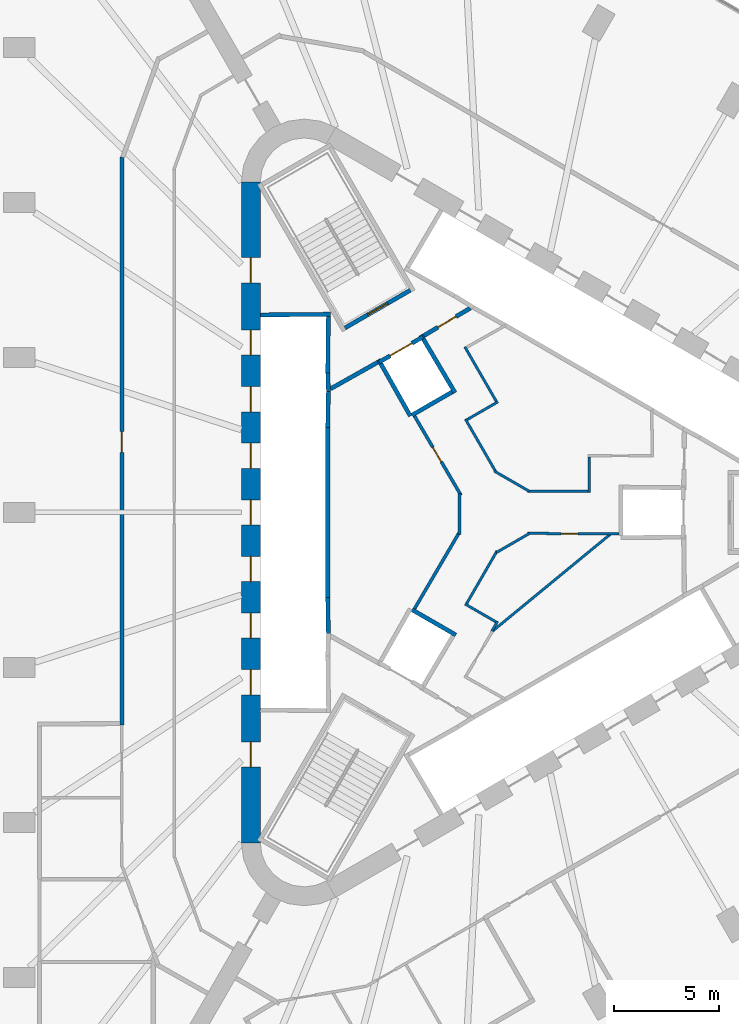
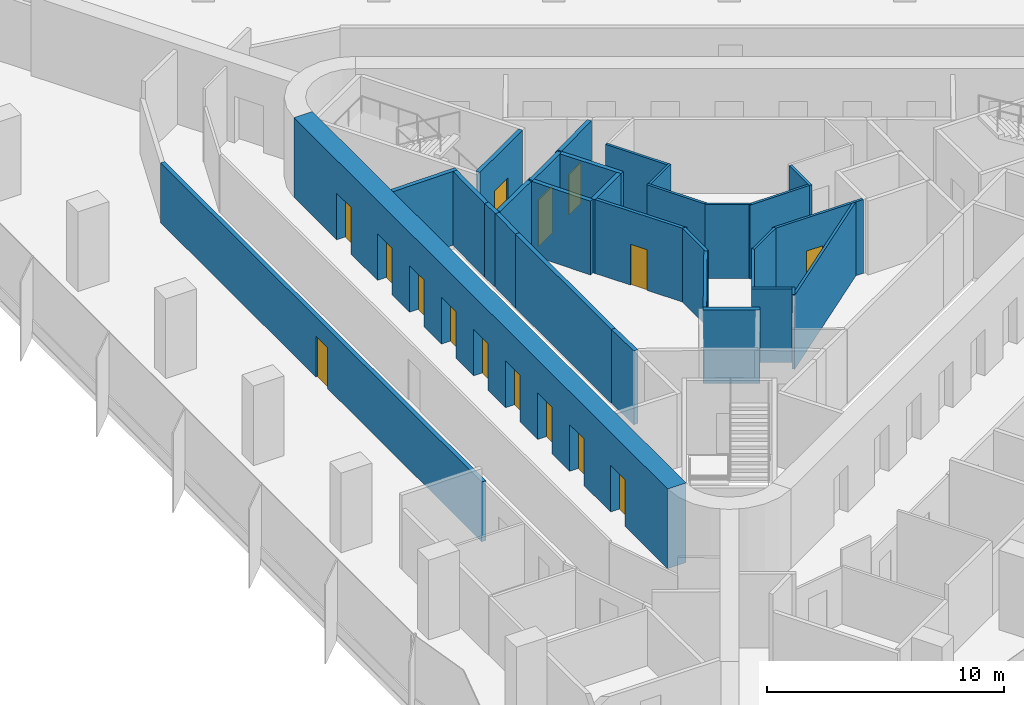
# One storey, part 11 of 15: 31 walls, 15 doors, 15 openings.
"""IFC4 building model written with IfcOpenShell, lengths in metres."""

import ifcopenshell
import ifcopenshell.guid

model = None  # the IFC model being written
_history = None  # IfcOwnerHistory: only IFC2X3 demands one
_inside = {}  # id of a spatial element -> (the spatial element, [elements in it])
_under = {}  # id of a project, library or spatial element -> (it, [spatial elements below it])
_declared = {}  # id of a project -> (the project, [libraries it declares])
_typed = {}  # id of a type object -> (the type object, [elements of that type])
_made_of = {}  # id of a material, layer set ... -> (it, [elements and type objects made of it])


def new_model(schema):
    """Start an empty IFC model of exactly this schema.

    Asked for "IFC4X3", IfcOpenShell would pick the latest addendum, in which some entities
    have other attributes; the version numbers below select the first issue.
    IFC2X3 requires an IfcOwnerHistory on every rooted entity: one is made here for all.
    """
    global model, _history
    if schema == "IFC4X3":
        model = ifcopenshell.file(schema_version=(4, 3, 0, 0))
    else:
        model = ifcopenshell.file(schema=schema)
    _inside.clear()
    _under.clear()
    _declared.clear()
    _typed.clear()
    _made_of.clear()
    _history = None
    if model.schema == "IFC2X3":
        org = make("IfcOrganization", Name="unknown")
        user = make(
            "IfcPersonAndOrganization",
            ThePerson=make("IfcPerson", FamilyName="unknown"),
            TheOrganization=org,
        )
        app = make(
            "IfcApplication",
            ApplicationDeveloper=org,
            Version="unknown",
            ApplicationFullName="unknown",
            ApplicationIdentifier="unknown",
        )
        _history = make(
            "IfcOwnerHistory",
            OwningUser=user,
            OwningApplication=app,
            ChangeAction="ADDED",
            CreationDate=0,
        )
    return model


def make(cls, **values):
    """One entity of the class cls with the attributes given. An attribute that is None is left unset."""
    return model.create_entity(
        cls, **{name: value for name, value in values.items() if value is not None}
    )


def rooted(cls, **values):
    """An entity with a GlobalId (a new one), such as an element, a storey or a relation."""
    return make(cls, GlobalId=ifcopenshell.guid.new(), OwnerHistory=_history, **values)


def si_unit(unit_type, name, prefix=None):
    """IfcSIUnit, for example si_unit("LENGTHUNIT", "METRE", prefix="MILLI")."""
    return make("IfcSIUnit", UnitType=unit_type, Prefix=prefix, Name=name)


def assignment(units):
    """IfcUnitAssignment: the units of a project."""
    return None if units is None else make("IfcUnitAssignment", Units=units)


def point(xyz):
    """IfcCartesianPoint."""
    return None if xyz is None else make("IfcCartesianPoint", Coordinates=xyz)


def direction(xyz):
    """IfcDirection."""
    return None if xyz is None else make("IfcDirection", DirectionRatios=xyz)


def frame(location, z_axis=None, x_axis=None):
    """IfcAxis2Placement3D, a coordinate frame: its origin and axes. An axis left out is left unset."""
    return make(
        "IfcAxis2Placement3D",
        Location=point(location),
        Axis=direction(z_axis),
        RefDirection=direction(x_axis),
    )


def frame_2d(location, x_axis=None):
    """IfcAxis2Placement2D, a coordinate frame in the plane: its origin and x axis."""
    return make(
        "IfcAxis2Placement2D", Location=point(location), RefDirection=direction(x_axis)
    )


def origin():
    """The frame at (0, 0, 0) with its axes left unset."""
    return frame((0.0, 0.0, 0.0))


def place(relative_to, where):
    """IfcLocalPlacement: puts the frame where relative to a parent placement (None: the world)."""
    return make(
        "IfcLocalPlacement", PlacementRelTo=relative_to, RelativePlacement=where
    )


def context(
    kind, dimensions, precision=None, world=None, true_north=None, identifier=None
):
    """IfcGeometricRepresentationContext, for example the 3D "Model" context."""
    return make(
        "IfcGeometricRepresentationContext",
        ContextIdentifier=identifier,
        ContextType=kind,
        CoordinateSpaceDimension=dimensions,
        Precision=precision,
        WorldCoordinateSystem=world,
        TrueNorth=true_north,
    )


def subcontext(parent, identifier, kind, view, scale=None):
    """IfcGeometricRepresentationSubContext, for example "Body" below "Model"."""
    return make(
        "IfcGeometricRepresentationSubContext",
        ContextIdentifier=identifier,
        ContextType=kind,
        ParentContext=parent,
        TargetScale=scale,
        TargetView=view,
    )


def project(units=None, contexts=None):
    """IfcProject with its units and contexts."""
    return rooted(
        "IfcProject",
        Name="project",
        RepresentationContexts=contexts,
        UnitsInContext=assignment(units),
    )


def spatial(cls, under=None, at=None, **own):
    """A site, building, storey or space (cls), placed at a placement, below another one or the project."""
    s = rooted(cls, ObjectPlacement=at, **own)
    if under is not None:
        _under.setdefault(under.id(), (under, []))[1].append(s)
    return s


def profile(cls, at=None, kind="AREA", **sizes):
    """A parametric profile (cls). Its sizes go by their IFC names, for example OverallWidth=200.0."""
    return make(cls, ProfileType=kind, Position=at, **sizes)


def rectangle(**sizes):
    """IfcRectangleProfileDef."""
    return profile("IfcRectangleProfileDef", **sizes)


def extrude(swept, where, along, depth):
    """IfcExtrudedAreaSolid: the profile swept, set in the frame where, extruded along a direction by depth."""
    return make(
        "IfcExtrudedAreaSolid",
        SweptArea=swept,
        Position=where,
        ExtrudedDirection=direction(along),
        Depth=depth,
    )


def shape(context_of_items, identifier, shape_type, items):
    """IfcShapeRepresentation: the items that make up one representation, for example the "Body"."""
    return make(
        "IfcShapeRepresentation",
        ContextOfItems=context_of_items,
        RepresentationIdentifier=identifier,
        RepresentationType=shape_type,
        Items=items,
    )


def material(Name=None, Category=None):
    """IfcMaterial."""
    return make("IfcMaterial", Name=Name, Category=Category)


def layer(
    of_material, thickness, ventilated=None, Name=None, Category=None, Priority=None
):
    """IfcMaterialLayer: one layer of a wall or slab, of a material (None: an air gap)."""
    return make(
        "IfcMaterialLayer",
        Material=of_material,
        LayerThickness=thickness,
        IsVentilated=ventilated,
        Name=Name,
        Category=Category,
        Priority=Priority,
    )


def layer_set(layers, Name=None):
    """IfcMaterialLayerSet."""
    return make("IfcMaterialLayerSet", MaterialLayers=layers, LayerSetName=Name)


def made_of(thing, what):
    """Note that an element or type object is made of a material, layer set ...; save() writes the relation."""
    if what is not None:
        _made_of.setdefault(what.id(), (what, []))[1].append(thing)
    return thing


def type_object(cls, material=None, **own):
    """A type object (cls), such as IfcWallType, which elements share."""
    return made_of(rooted(cls, **own), material)


def element(
    cls,
    number,
    at=None,
    inside=None,
    cuts=None,
    type_object=None,
    material=None,
    context=None,
    identifier="Body",
    shape_type=None,
    held_by="IfcProductDefinitionShape",
    body=None,
    shapes=None,
    **own,
):
    """One element of the class cls, such as IfcWall. Its Tag is "e" and its number.

    at: its placement. inside: the storey or other place that contains it. cuts: it is an
    opening in that element (IfcRelVoidsElement). A single representation is given by context,
    identifier, shape_type and body (its items); several are given by shapes. held_by: the class
    of the entity that holds the representations. save() writes the other relations.
    """
    e = rooted(cls, Tag="e%d" % number, ObjectPlacement=at, **own)
    if body is not None:
        shapes = [shape(context, identifier, shape_type, body)]
    if shapes is not None:
        e.Representation = make(held_by, Representations=shapes)
    if inside is not None:
        _inside.setdefault(inside.id(), (inside, []))[1].append(e)
    if cuts is not None:
        rooted(
            "IfcRelVoidsElement", RelatingBuildingElement=cuts, RelatedOpeningElement=e
        )
    if type_object is not None:
        _typed.setdefault(type_object.id(), (type_object, []))[1].append(e)
    return made_of(e, material)


def fill(opening, filler):
    """IfcRelFillsElement: the door or window that sits in an opening."""
    return rooted(
        "IfcRelFillsElement",
        RelatingOpeningElement=opening,
        RelatedBuildingElement=filler,
    )


def aggregate(whole, parts):
    """IfcRelAggregates: a whole, such as a stair, and the parts it consists of."""
    return rooted("IfcRelAggregates", RelatingObject=whole, RelatedObjects=parts)


def save(model, path):
    """Write the relations noted so far, then the file.

    IfcRelAggregates (storeys below a building ...), IfcRelContainedInSpatialStructure (elements
    in a storey), IfcRelDefinesByType, IfcRelAssociatesMaterial and IfcRelDeclares: one each for
    every whole, place, type object, material and project.
    """
    for whole, parts in _under.values():
        aggregate(whole, parts)
    for where, things in _inside.values():
        rooted(
            "IfcRelContainedInSpatialStructure",
            RelatedElements=things,
            RelatingStructure=where,
        )
    for kind, things in _typed.values():
        rooted("IfcRelDefinesByType", RelatedObjects=things, RelatingType=kind)
    for what, things in _made_of.values():
        rooted("IfcRelAssociatesMaterial", RelatedObjects=things, RelatingMaterial=what)
    for by, libraries in _declared.values():
        rooted("IfcRelDeclares", RelatingContext=by, RelatedDefinitions=libraries)
    model.write(path)


model = new_model("IFC4")

# Units and contexts
model_context = context("Model", 3, precision=1e-05, world=origin(), true_north=direction((0.0, 1.0)))
body_context = subcontext(model_context, "Body", "Model", "MODEL_VIEW")
ifc_project = project(units=[si_unit("LENGTHUNIT", "METRE"), si_unit("AREAUNIT", "SQUARE_METRE"), si_unit("VOLUMEUNIT", "CUBIC_METRE"), si_unit("PLANEANGLEUNIT", "RADIAN"), si_unit("MASSUNIT", "GRAM", prefix="KILO")], contexts=[model_context])

# Site, building, storey
site_placement = place(None, origin())
site = spatial("IfcSite", under=ifc_project, at=site_placement, CompositionType="ELEMENT")
building_placement = place(site_placement, origin())
building = spatial("IfcBuilding", under=site, at=building_placement, Name="Tanit Gate Tower", CompositionType="ELEMENT")
storey_placement = place(building_placement, frame((0.0, 0.0, 139.800048828125)))
storey = spatial("IfcBuildingStorey", under=building, at=storey_placement, Name="L30", CompositionType="ELEMENT", Elevation=139.800048828125)

# Wall, openings, doors
ifc_material_1 = material(Name="Concrete C60/75", Category="concrete")
ifc_layer_1 = layer(ifc_material_1, 0.89990234375)
ifc_layer_set_1 = layer_set([ifc_layer_1], Name="CORE WALL 900 C60/75")
wall_type_1 = type_object("IfcWallType", Name="CORE WALL 900 C60/75", PredefinedType="SHEAR", material=ifc_layer_set_1)
wall_1_placement = place(storey_placement, frame((-11.64990234375, 15.76171875, 0.0), z_axis=(0.0, 0.0, 1.0), x_axis=(0.0, -1.0, 0.0)))
wall_1 = element("IfcWall", 1, at=wall_1_placement, inside=storey, type_object=wall_type_1, Name="CORE WALL", PredefinedType="SHEAR", context=body_context, shape_type="SweptSolid", body=[
    extrude(rectangle(XDim=31.5234375, YDim=0.89990234375, at=frame_2d((15.76171875, 0.0))), origin(), (0.0, 0.0, 1.0), 4.099853515625),
])
opening_1_placement = place(wall_1_placement, frame((7.061767578125, 0.0, 0.0)))
opening_1 = element("IfcOpeningElement", 2, at=opening_1_placement, cuts=wall_1, Name="Opening LDLL1-S07", PredefinedType="OPENING", context=body_context, shape_type="SweptSolid", body=[
    extrude(rectangle(XDim=1.199951171875, YDim=2.39990234375, at=frame_2d((0.60009765625, 1.199951171875))), frame((0.0, 0.4599609375, 0.0), z_axis=(0.0, -1.0, 0.0), x_axis=(1.0, 0.0, 0.0)), (0.0, 0.0, 1.0), 0.919921875),
])
opening_2_placement = place(wall_1_placement, frame((9.76171875, 0.0, 0.0)))
opening_2 = element("IfcOpeningElement", 3, at=opening_2_placement, cuts=wall_1, Name="Opening LDLL2-S07", PredefinedType="OPENING", context=body_context, shape_type="SweptSolid", body=[
    extrude(rectangle(XDim=1.199951171875, YDim=2.39990234375, at=frame_2d((0.60009765625, 1.199951171875))), frame((0.0, 0.4599609375, 0.0), z_axis=(0.0, -1.0, 0.0), x_axis=(1.0, 0.0, 0.0)), (0.0, 0.0, 1.0), 0.919921875),
])
opening_3_placement = place(wall_1_placement, frame((12.461669921875, 0.0, 0.0)))
opening_3 = element("IfcOpeningElement", 4, at=opening_3_placement, cuts=wall_1, Name="Opening LDLL3-S07", PredefinedType="OPENING", context=body_context, shape_type="SweptSolid", body=[
    extrude(rectangle(XDim=1.199951171875, YDim=2.39990234375, at=frame_2d((0.60009765625, 1.199951171875))), frame((0.0, 0.4599609375, 0.0), z_axis=(0.0, -1.0, 0.0), x_axis=(1.0, 0.0, 0.0)), (0.0, 0.0, 1.0), 0.919921875),
])
opening_4_placement = place(wall_1_placement, frame((15.16162109375, 0.0, 0.0)))
opening_4 = element("IfcOpeningElement", 5, at=opening_4_placement, cuts=wall_1, Name="Opening LDLL4-S07", PredefinedType="OPENING", context=body_context, shape_type="SweptSolid", body=[
    extrude(rectangle(XDim=1.199951171875, YDim=2.39990234375, at=frame_2d((0.60009765625, 1.199951171875))), frame((0.0, 0.4599609375, 0.0), z_axis=(0.0, -1.0, 0.0), x_axis=(1.0, 0.0, 0.0)), (0.0, 0.0, 1.0), 0.919921875),
])
opening_5_placement = place(wall_1_placement, frame((17.86181640625, 0.0, 0.0)))
opening_5 = element("IfcOpeningElement", 6, at=opening_5_placement, cuts=wall_1, Name="Opening LDLL5-S07", PredefinedType="OPENING", context=body_context, shape_type="SweptSolid", body=[
    extrude(rectangle(XDim=1.199951171875, YDim=2.39990234375, at=frame_2d((0.60009765625, 1.199951171875))), frame((0.0, 0.4599609375, 0.0), z_axis=(0.0, -1.0, 0.0), x_axis=(1.0, 0.0, 0.0)), (0.0, 0.0, 1.0), 0.919921875),
])
opening_6_placement = place(wall_1_placement, frame((20.561767578125, 0.0, 0.0)))
opening_6 = element("IfcOpeningElement", 7, at=opening_6_placement, cuts=wall_1, Name="Opening LDLL6-S07", PredefinedType="OPENING", context=body_context, shape_type="SweptSolid", body=[
    extrude(rectangle(XDim=1.199951171875, YDim=2.39990234375, at=frame_2d((0.60009765625, 1.199951171875))), frame((0.0, 0.4599609375, 0.0), z_axis=(0.0, -1.0, 0.0), x_axis=(1.0, 0.0, 0.0)), (0.0, 0.0, 1.0), 0.919921875),
])
opening_7_placement = place(wall_1_placement, frame((23.26171875, 0.0, 0.0)))
opening_7 = element("IfcOpeningElement", 8, at=opening_7_placement, cuts=wall_1, Name="Opening LDLL7-S07", PredefinedType="OPENING", context=body_context, shape_type="SweptSolid", body=[
    extrude(rectangle(XDim=1.199951171875, YDim=2.39990234375, at=frame_2d((0.60009765625, 1.199951171875))), frame((0.0, 0.4599609375, 0.0), z_axis=(0.0, -1.0, 0.0), x_axis=(1.0, 0.0, 0.0)), (0.0, 0.0, 1.0), 0.919921875),
])
opening_8_placement = place(wall_1_placement, frame((3.61181640625, 0.0, 0.0)))
opening_8 = element("IfcOpeningElement", 9, at=opening_8_placement, cuts=wall_1, Name="Opening F12-S07-FL2", PredefinedType="OPENING", context=body_context, shape_type="SweptSolid", body=[
    extrude(rectangle(XDim=1.199951171875, YDim=2.39990234375, at=frame_2d((0.60009765625, 1.199951171875))), frame((0.0, 0.4599609375, 0.0), z_axis=(0.0, -1.0, 0.0), x_axis=(1.0, 0.0, 0.0)), (0.0, 0.0, 1.0), 0.919921875),
])
opening_9_placement = place(wall_1_placement, frame((26.711669921875, 0.0, 0.0)))
opening_9 = element("IfcOpeningElement", 10, at=opening_9_placement, cuts=wall_1, Name="Opening F12-S07-S3", PredefinedType="OPENING", context=body_context, shape_type="SweptSolid", body=[
    extrude(rectangle(XDim=1.199951171875, YDim=2.39990234375, at=frame_2d((0.60009765625, 1.199951171875))), frame((0.0, 0.4599609375, 0.0), z_axis=(0.0, -1.0, 0.0), x_axis=(1.0, 0.0, 0.0)), (0.0, 0.0, 1.0), 0.919921875),
])
ifc_material_2 = material(Name="Fire-rated steel door leaf", Category="steel")
door_type_1 = type_object("IfcDoorType", Name="INT-DOOR-FIRE-LOBBY-1200", OperationType="NOTDEFINED", PredefinedType="USERDEFINED", material=ifc_material_2)
door_1_placement = place(opening_8_placement, origin())
door_1 = element("IfcDoor", 11, at=door_1_placement, inside=storey, type_object=door_type_1, Name="Door F12-S07-FL2", ObjectType="FIRE DOOR", OperationType="SINGLE_SWING_RIGHT", OverallHeight=2.39990234375, OverallWidth=1.199951171875, PredefinedType="USERDEFINED", context=body_context, shape_type="SweptSolid", body=[
    extrude(rectangle(XDim=1.199951171875, YDim=2.39990234375, at=frame_2d((0.60009765625, 1.199951171875))), frame((0.0, 0.02490234375, 0.0), z_axis=(0.0, -1.0, 0.0), x_axis=(1.0, 0.0, 0.0)), (0.0, 0.0, 1.0), 0.050048828125),
])
fill(opening_8, door_1)
door_2_placement = place(opening_9_placement, origin())
door_2 = element("IfcDoor", 12, at=door_2_placement, inside=storey, type_object=door_type_1, Name="Door F12-S07-S3", ObjectType="FIRE DOOR", OperationType="SINGLE_SWING_LEFT", OverallHeight=2.39990234375, OverallWidth=1.199951171875, PredefinedType="USERDEFINED", context=body_context, shape_type="SweptSolid", body=[
    extrude(rectangle(XDim=1.199951171875, YDim=2.39990234375, at=frame_2d((0.60009765625, 1.199951171875))), frame((0.0, 0.02490234375, 0.0), z_axis=(0.0, -1.0, 0.0), x_axis=(1.0, 0.0, 0.0)), (0.0, 0.0, 1.0), 0.050048828125),
])
fill(opening_9, door_2)
ifc_material_3 = material(Name="Stainless steel sliding door leaf", Category="steel")
door_type_2 = type_object("IfcDoorType", Name="INT-DOOR-LANDING-1200", OperationType="NOTDEFINED", PredefinedType="USERDEFINED", material=ifc_material_3)
door_3_placement = place(opening_1_placement, origin())
door_3 = element("IfcDoor", 13, at=door_3_placement, inside=storey, type_object=door_type_2, Name="Door LDLL1-S07", ObjectType="LANDING DOOR", OperationType="SLIDING_TO_LEFT", OverallHeight=2.39990234375, OverallWidth=1.199951171875, PredefinedType="USERDEFINED", context=body_context, shape_type="SweptSolid", body=[
    extrude(rectangle(XDim=1.199951171875, YDim=2.39990234375, at=frame_2d((0.60009765625, 1.199951171875))), frame((0.0, 0.02490234375, 0.0), z_axis=(0.0, -1.0, 0.0), x_axis=(1.0, 0.0, 0.0)), (0.0, 0.0, 1.0), 0.050048828125),
])
fill(opening_1, door_3)
door_4_placement = place(opening_2_placement, origin())
door_4 = element("IfcDoor", 14, at=door_4_placement, inside=storey, type_object=door_type_2, Name="Door LDLL2-S07", ObjectType="LANDING DOOR", OperationType="SLIDING_TO_LEFT", OverallHeight=2.39990234375, OverallWidth=1.199951171875, PredefinedType="USERDEFINED", context=body_context, shape_type="SweptSolid", body=[
    extrude(rectangle(XDim=1.199951171875, YDim=2.39990234375, at=frame_2d((0.60009765625, 1.199951171875))), frame((0.0, 0.02490234375, 0.0), z_axis=(0.0, -1.0, 0.0), x_axis=(1.0, 0.0, 0.0)), (0.0, 0.0, 1.0), 0.050048828125),
])
fill(opening_2, door_4)
door_5_placement = place(opening_3_placement, origin())
door_5 = element("IfcDoor", 15, at=door_5_placement, inside=storey, type_object=door_type_2, Name="Door LDLL3-S07", ObjectType="LANDING DOOR", OperationType="SLIDING_TO_LEFT", OverallHeight=2.39990234375, OverallWidth=1.199951171875, PredefinedType="USERDEFINED", context=body_context, shape_type="SweptSolid", body=[
    extrude(rectangle(XDim=1.199951171875, YDim=2.39990234375, at=frame_2d((0.60009765625, 1.199951171875))), frame((0.0, 0.02490234375, 0.0), z_axis=(0.0, -1.0, 0.0), x_axis=(1.0, 0.0, 0.0)), (0.0, 0.0, 1.0), 0.050048828125),
])
fill(opening_3, door_5)
door_6_placement = place(opening_4_placement, origin())
door_6 = element("IfcDoor", 16, at=door_6_placement, inside=storey, type_object=door_type_2, Name="Door LDLL4-S07", ObjectType="LANDING DOOR", OperationType="SLIDING_TO_LEFT", OverallHeight=2.39990234375, OverallWidth=1.199951171875, PredefinedType="USERDEFINED", context=body_context, shape_type="SweptSolid", body=[
    extrude(rectangle(XDim=1.199951171875, YDim=2.39990234375, at=frame_2d((0.60009765625, 1.199951171875))), frame((0.0, 0.02490234375, 0.0), z_axis=(0.0, -1.0, 0.0), x_axis=(1.0, 0.0, 0.0)), (0.0, 0.0, 1.0), 0.050048828125),
])
fill(opening_4, door_6)
door_7_placement = place(opening_5_placement, origin())
door_7 = element("IfcDoor", 17, at=door_7_placement, inside=storey, type_object=door_type_2, Name="Door LDLL5-S07", ObjectType="LANDING DOOR", OperationType="SLIDING_TO_LEFT", OverallHeight=2.39990234375, OverallWidth=1.199951171875, PredefinedType="USERDEFINED", context=body_context, shape_type="SweptSolid", body=[
    extrude(rectangle(XDim=1.199951171875, YDim=2.39990234375, at=frame_2d((0.60009765625, 1.199951171875))), frame((0.0, 0.02490234375, 0.0), z_axis=(0.0, -1.0, 0.0), x_axis=(1.0, 0.0, 0.0)), (0.0, 0.0, 1.0), 0.050048828125),
])
fill(opening_5, door_7)
door_8_placement = place(opening_6_placement, origin())
door_8 = element("IfcDoor", 18, at=door_8_placement, inside=storey, type_object=door_type_2, Name="Door LDLL6-S07", ObjectType="LANDING DOOR", OperationType="SLIDING_TO_LEFT", OverallHeight=2.39990234375, OverallWidth=1.199951171875, PredefinedType="USERDEFINED", context=body_context, shape_type="SweptSolid", body=[
    extrude(rectangle(XDim=1.199951171875, YDim=2.39990234375, at=frame_2d((0.60009765625, 1.199951171875))), frame((0.0, 0.02490234375, 0.0), z_axis=(0.0, -1.0, 0.0), x_axis=(1.0, 0.0, 0.0)), (0.0, 0.0, 1.0), 0.050048828125),
])
fill(opening_6, door_8)
door_9_placement = place(opening_7_placement, origin())
door_9 = element("IfcDoor", 19, at=door_9_placement, inside=storey, type_object=door_type_2, Name="Door LDLL7-S07", ObjectType="LANDING DOOR", OperationType="SLIDING_TO_LEFT", OverallHeight=2.39990234375, OverallWidth=1.199951171875, PredefinedType="USERDEFINED", context=body_context, shape_type="SweptSolid", body=[
    extrude(rectangle(XDim=1.199951171875, YDim=2.39990234375, at=frame_2d((0.60009765625, 1.199951171875))), frame((0.0, 0.02490234375, 0.0), z_axis=(0.0, -1.0, 0.0), x_axis=(1.0, 0.0, 0.0)), (0.0, 0.0, 1.0), 0.050048828125),
])
fill(opening_7, door_9)

# Wall
ifc_material_4 = material(Name="Fire-rated gypsum board partition")
ifc_layer_2 = layer(ifc_material_4, 0.199951171875)
ifc_layer_set_2 = layer_set([ifc_layer_2], Name="INT-WALL-COMPARTMENT")
wall_type_2 = type_object("IfcWallType", Name="INT-WALL-COMPARTMENT", PredefinedType="PARTITIONING", material=ifc_layer_set_2)
wall_2_placement = place(storey_placement, frame((-5.600341796875, 7.16015625, 0.0), z_axis=(0.0, 0.0, 1.0), x_axis=(-0.871340486379, -0.490678873396, 0.0)))
element("IfcWall", 20, at=wall_2_placement, inside=storey, type_object=wall_type_2, Name="Wall Compartment W061", PredefinedType="PARTITIONING", context=body_context, shape_type="SweptSolid", body=[
    extrude(rectangle(XDim=2.580810546875, YDim=0.199951171875, at=frame_2d((1.29052734375, 0.0))), origin(), (0.0, 0.0, 1.0), 3.800048828125),
])

# Wall, opening, door
wall_3_placement = place(storey_placement, frame((-1.179443359375, 9.74462890625, 0.0), z_axis=(0.0, 0.0, 1.0), x_axis=(-0.860598681535, -0.509283721849, 0.0)))
wall_3 = element("IfcWall", 21, at=wall_3_placement, inside=storey, type_object=wall_type_2, Name="Wall Compartment W062", PredefinedType="PARTITIONING", context=body_context, shape_type="SweptSolid", body=[
    extrude(rectangle(XDim=2.5810546875, YDim=0.199951171875, at=frame_2d((1.29052734375, 0.0))), origin(), (0.0, 0.0, 1.0), 3.800048828125),
])
opening_10_placement = place(wall_3_placement, frame((0.79052734375, 0.0, 0.0)))
opening_10 = element("IfcOpeningElement", 22, at=opening_10_placement, cuts=wall_3, Name="Opening F10-S07-05", PredefinedType="OPENING", context=body_context, shape_type="SweptSolid", body=[
    extrude(rectangle(XDim=1.0, YDim=2.10009765625, at=frame_2d((0.5, 1.050048828125))), frame((0.0, 0.10986328125, 0.0), z_axis=(0.0, -1.0, 0.0), x_axis=(1.0, 0.0, 0.0)), (0.0, 0.0, 1.0), 0.219970703125),
])
ifc_material_5 = material(Name="Fire-rated steel door leaf", Category="steel")
door_type_3 = type_object("IfcDoorType", Name="INT-DOOR-FIRE-1000", OperationType="NOTDEFINED", PredefinedType="USERDEFINED", material=ifc_material_5)
door_10_placement = place(opening_10_placement, origin())
door_10 = element("IfcDoor", 23, at=door_10_placement, inside=storey, type_object=door_type_3, Name="Door F10-S07-05", ObjectType="FIRE DOOR", OperationType="SINGLE_SWING_LEFT", OverallHeight=2.10009765625, OverallWidth=1.0, PredefinedType="USERDEFINED", context=body_context, shape_type="SweptSolid", body=[
    extrude(rectangle(XDim=1.0, YDim=2.10009765625, at=frame_2d((0.5, 1.050048828125))), frame((0.0, 0.02490234375, 0.0), z_axis=(0.0, -1.0, 0.0), x_axis=(1.0, 0.0, 0.0)), (0.0, 0.0, 1.0), 0.050048828125),
])
fill(opening_10, door_10)

wall_4_placement = place(storey_placement, frame((-17.800048828125, 16.946044921875, 0.0), z_axis=(0.0, 0.0, 1.0), x_axis=(0.0, -1.0, 0.0)))
wall_4 = element("IfcWall", 24, at=wall_4_placement, inside=storey, type_object=wall_type_2, Name="Wall Compartment W091", PredefinedType="PARTITIONING", context=body_context, shape_type="SweptSolid", body=[
    extrude(rectangle(XDim=27.075927734375, YDim=0.199951171875, at=frame_2d((13.5380859375, 0.0))), origin(), (0.0, 0.0, 1.0), 3.079833984375),
])
opening_11_placement = place(wall_4_placement, frame((13.087890625, 0.0, 0.0)))
opening_11 = element("IfcOpeningElement", 25, at=opening_11_placement, cuts=wall_4, Name="Opening F10-S07-23", PredefinedType="OPENING", context=body_context, shape_type="SweptSolid", body=[
    extrude(rectangle(XDim=1.0, YDim=2.10009765625, at=frame_2d((0.5, 1.050048828125))), frame((0.0, 0.10986328125, 0.0), z_axis=(0.0, -1.0, 0.0), x_axis=(1.0, 0.0, 0.0)), (0.0, 0.0, 1.0), 0.219970703125),
])
door_11_placement = place(opening_11_placement, origin())
door_11 = element("IfcDoor", 26, at=door_11_placement, inside=storey, type_object=door_type_3, Name="Door F10-S07-23", ObjectType="FIRE DOOR", OperationType="SINGLE_SWING_RIGHT", OverallHeight=2.10009765625, OverallWidth=1.0, PredefinedType="USERDEFINED", context=body_context, shape_type="SweptSolid", body=[
    extrude(rectangle(XDim=1.0, YDim=2.10009765625, at=frame_2d((0.5, 1.050048828125))), frame((0.0, 0.02490234375, 0.0), z_axis=(0.0, -1.0, 0.0), x_axis=(1.0, 0.0, 0.0)), (0.0, 0.0, 1.0), 0.050048828125),
])
fill(opening_11, door_11)

# Wall
ifc_material_6 = material(Name="Gypsum board partition")
ifc_layer_3 = layer(ifc_material_6, 0.1201171875)
ifc_layer_set_3 = layer_set([ifc_layer_3], Name="INT-WALL-PARTITION")
wall_type_3 = type_object("IfcWallType", Name="INT-WALL-PARTITION", PredefinedType="PARTITIONING", material=ifc_layer_set_3)
wall_5_placement = place(storey_placement, frame((5.5478515625, -1.0, 0.0), z_axis=(0.0, 0.0, 1.0), x_axis=(-0.772345431507, -0.635202750648, 0.0)))
element("IfcWall", 27, at=wall_5_placement, inside=storey, type_object=wall_type_3, Name="Wall Partition W068", PredefinedType="PARTITIONING", context=body_context, shape_type="SweptSolid", body=[
    extrude(rectangle(XDim=7.41455078125, YDim=0.1201171875, at=frame_2d((3.707275390625, 0.0))), origin(), (0.0, 0.0, 1.0), 3.800048828125),
])

# Wall, opening, door
wall_6_placement = place(storey_placement, frame((5.89990234375, -1.02880859375, 0.0), z_axis=(0.0, 0.0, 1.0), x_axis=(-0.999977012451, 0.006780454946, 0.0)))
wall_6 = element("IfcWall", 28, at=wall_6_placement, inside=storey, type_object=wall_type_3, Name="Wall Partition W071", PredefinedType="PARTITIONING", context=body_context, shape_type="SweptSolid", body=[
    extrude(rectangle(XDim=4.356689453125, YDim=0.1201171875, at=frame_2d((2.17822265625, 0.0))), origin(), (0.0, 0.0, 1.0), 3.800048828125),
])
opening_12_placement = place(wall_6_placement, frame((1.9541015625, 0.0, 0.0)))
opening_12 = element("IfcOpeningElement", 29, at=opening_12_placement, cuts=wall_6, Name="Opening R08-S07-12", PredefinedType="OPENING", context=body_context, shape_type="SweptSolid", body=[
    extrude(rectangle(XDim=0.800048828125, YDim=2.10009765625, at=frame_2d((0.39990234375, 1.050048828125))), frame((0.0, 0.070068359375, 0.0), z_axis=(0.0, -1.0, 0.0), x_axis=(1.0, 0.0, 0.0)), (0.0, 0.0, 1.0), 0.14013671875),
])
ifc_material_7 = material(Name="Timber door leaf", Category="wood")
door_type_4 = type_object("IfcDoorType", Name="INT-DOOR-RISER-800", OperationType="NOTDEFINED", PredefinedType="USERDEFINED", material=ifc_material_7)
door_12_placement = place(opening_12_placement, origin())
door_12 = element("IfcDoor", 30, at=door_12_placement, inside=storey, type_object=door_type_4, Name="Door R08-S07-12", ObjectType="FIRE DOOR", OperationType="SINGLE_SWING_LEFT", OverallHeight=2.10009765625, OverallWidth=0.800048828125, PredefinedType="USERDEFINED", context=body_context, shape_type="SweptSolid", body=[
    extrude(rectangle(XDim=0.800048828125, YDim=2.10009765625, at=frame_2d((0.39990234375, 1.050048828125))), frame((0.0, 0.02490234375, 0.0), z_axis=(0.0, -1.0, 0.0), x_axis=(1.0, 0.0, 0.0)), (0.0, 0.0, 1.0), 0.050048828125),
])
fill(opening_12, door_12)

# Walls
wall_7_placement = place(storey_placement, frame((-0.14404296875, -5.6494140625, 0.0), z_axis=(0.0, 0.0, 1.0), x_axis=(0.499843319224, 0.866115844577, 0.0)))
element("IfcWall", 31, at=wall_7_placement, inside=storey, type_object=wall_type_3, Name="Wall Partition W072", PredefinedType="PARTITIONING", context=body_context, shape_type="SweptSolid", body=[
    extrude(rectangle(XDim=0.524658203125, YDim=0.1201171875, at=frame_2d((0.26220703125, 0.0))), origin(), (0.0, 0.0, 1.0), 3.800048828125),
])
wall_8_placement = place(storey_placement, frame((-1.43603515625, -4.3671875, 0.0), z_axis=(0.0, 0.0, 1.0), x_axis=(0.866087547558, -0.499892348375, 0.0)))
element("IfcWall", 32, at=wall_8_placement, inside=storey, type_object=wall_type_3, Name="Wall Partition W073", PredefinedType="PARTITIONING", context=body_context, shape_type="SweptSolid", body=[
    extrude(rectangle(XDim=1.699951171875, YDim=0.1201171875, at=frame_2d((0.85009765625, 0.0))), origin(), (0.0, 0.0, 1.0), 3.800048828125),
])
wall_9_placement = place(storey_placement, frame((0.09521484375, -1.8349609375, 0.0), z_axis=(0.0, 0.0, 1.0), x_axis=(-0.499980071345, -0.866036909293, 0.0)))
element("IfcWall", 33, at=wall_9_placement, inside=storey, type_object=wall_type_3, Name="Wall Partition W074", PredefinedType="PARTITIONING", context=body_context, shape_type="SweptSolid", body=[
    extrude(rectangle(XDim=2.8984375, YDim=0.1201171875, at=frame_2d((1.44921875, 0.0))), origin(), (0.0, 0.0, 1.0), 3.800048828125),
])
wall_10_placement = place(storey_placement, frame((1.629150390625, -1.009521484375, 0.0), z_axis=(0.0, 0.0, 1.0), x_axis=(-0.866046528967, -0.499963408325, 0.0)))
element("IfcWall", 34, at=wall_10_placement, inside=storey, type_object=wall_type_3, Name="Wall Partition W075", PredefinedType="PARTITIONING", context=body_context, shape_type="SweptSolid", body=[
    extrude(rectangle(XDim=1.812744140625, YDim=0.1201171875, at=frame_2d((0.90625, 0.0))), origin(), (0.0, 0.0, 1.0), 3.800048828125),
])
wall_11_placement = place(storey_placement, frame((4.5, 0.93994140625, 0.0), z_axis=(0.0, 0.0, 1.0), x_axis=(0.0, 1.0, 0.0)))
element("IfcWall", 35, at=wall_11_placement, inside=storey, type_object=wall_type_3, Name="Wall Partition W079", PredefinedType="PARTITIONING", context=body_context, shape_type="SweptSolid", body=[
    extrude(rectangle(XDim=1.699951171875, YDim=0.1201171875, at=frame_2d((0.85009765625, 0.0))), origin(), (0.0, 0.0, 1.0), 3.800048828125),
])
wall_12_placement = place(storey_placement, frame((1.54150390625, 1.0, 0.0), z_axis=(0.0, 0.0, 1.0), x_axis=(1.0, 0.0, 0.0)))
element("IfcWall", 36, at=wall_12_placement, inside=storey, type_object=wall_type_3, Name="Wall Partition W080", PredefinedType="PARTITIONING", context=body_context, shape_type="SweptSolid", body=[
    extrude(rectangle(XDim=2.8984375, YDim=0.1201171875, at=frame_2d((1.44921875, 0.0))), origin(), (0.0, 0.0, 1.0), 3.800048828125),
])
wall_13_placement = place(storey_placement, frame((-0.046630859375, 1.97705078125, 0.0), z_axis=(0.0, 0.0, 1.0), x_axis=(0.865998615205, -0.500046396311, 0.0)))
element("IfcWall", 37, at=wall_13_placement, inside=storey, type_object=wall_type_3, Name="Wall Partition W081", PredefinedType="PARTITIONING", context=body_context, shape_type="SweptSolid", body=[
    extrude(rectangle(XDim=1.935302734375, YDim=0.1201171875, at=frame_2d((0.9677734375, 0.0))), origin(), (0.0, 0.0, 1.0), 3.800048828125),
])
wall_14_placement = place(storey_placement, frame((-1.4140625, 4.448974609375, 0.0), z_axis=(0.0, 0.0, 1.0), x_axis=(0.500028961621, -0.866008682139, 0.0)))
element("IfcWall", 38, at=wall_14_placement, inside=storey, type_object=wall_type_3, Name="Wall Partition W082", PredefinedType="PARTITIONING", context=body_context, shape_type="SweptSolid", body=[
    extrude(rectangle(XDim=2.895751953125, YDim=0.1201171875, at=frame_2d((1.44775390625, 0.0))), origin(), (0.0, 0.0, 1.0), 3.800048828125),
])
wall_15_placement = place(storey_placement, frame((0.14013671875, 5.277099609375, 0.0), z_axis=(0.0, 0.0, 1.0), x_axis=(-0.865989465428, -0.500062241894, 0.0)))
element("IfcWall", 39, at=wall_15_placement, inside=storey, type_object=wall_type_3, Name="Wall Partition W083", PredefinedType="PARTITIONING", context=body_context, shape_type="SweptSolid", body=[
    extrude(rectangle(XDim=1.699951171875, YDim=0.1201171875, at=frame_2d((0.85009765625, 0.0))), origin(), (0.0, 0.0, 1.0), 3.800048828125),
])
wall_16_placement = place(storey_placement, frame((-1.441650390625, 7.897216796875, 0.0), z_axis=(0.0, 0.0, 1.0), x_axis=(0.499990139034, -0.866031096941, 0.0)))
element("IfcWall", 40, at=wall_16_placement, inside=storey, type_object=wall_type_3, Name="Wall Partition W084", PredefinedType="PARTITIONING", context=body_context, shape_type="SweptSolid", body=[
    extrude(rectangle(XDim=3.0, YDim=0.1201171875, at=frame_2d((1.5, 0.0))), origin(), (0.0, 0.0, 1.0), 3.800048828125),
])

# Wall, opening, door
ifc_material_8 = material(Name="Fire-rated gypsum board partition")
ifc_layer_4 = layer(ifc_material_8, 0.14990234375)
ifc_layer_set_4 = layer_set([ifc_layer_4], Name="INT-WALL-RISER")
wall_type_4 = type_object("IfcWallType", Name="INT-WALL-RISER", PredefinedType="PLUMBINGWALL", material=ifc_layer_set_4)
wall_17_placement = place(storey_placement, frame((-1.6240234375, 0.814697265625, 0.0), z_axis=(0.0, 0.0, 1.0), x_axis=(-0.505868173579, 0.862610799237, 0.0)))
wall_17 = element("IfcWall", 41, at=wall_17_placement, inside=storey, type_object=wall_type_4, Name="Wall Riser W065", PredefinedType="PLUMBINGWALL", context=body_context, shape_type="SweptSolid", body=[
    extrude(rectangle(XDim=4.382568359375, YDim=0.14990234375, at=frame_2d((2.19140625, 0.0))), origin(), (0.0, 0.0, 1.0), 3.800048828125),
])
opening_13_placement = place(wall_17_placement, frame((1.855224609375, 0.0, 0.0)))
opening_13 = element("IfcOpeningElement", 42, at=opening_13_placement, cuts=wall_17, Name="Opening R08-S07-10", PredefinedType="OPENING", context=body_context, shape_type="SweptSolid", body=[
    extrude(rectangle(XDim=0.800048828125, YDim=2.10009765625, at=frame_2d((0.39990234375, 1.050048828125))), frame((0.0, 0.0849609375, 0.0), z_axis=(0.0, -1.0, 0.0), x_axis=(1.0, 0.0, 0.0)), (0.0, 0.0, 1.0), 0.169921875),
])
door_13_placement = place(opening_13_placement, origin())
door_13 = element("IfcDoor", 43, at=door_13_placement, inside=storey, type_object=door_type_4, Name="Door R08-S07-10", ObjectType="FIRE DOOR", OperationType="SINGLE_SWING_LEFT", OverallHeight=2.10009765625, OverallWidth=0.800048828125, PredefinedType="USERDEFINED", context=body_context, shape_type="SweptSolid", body=[
    extrude(rectangle(XDim=0.800048828125, YDim=2.10009765625, at=frame_2d((0.39990234375, 1.050048828125))), frame((0.0, 0.02490234375, 0.0), z_axis=(0.0, -1.0, 0.0), x_axis=(1.0, 0.0, 0.0)), (0.0, 0.0, 1.0), 0.050048828125),
])
fill(opening_13, door_13)

# Walls
wall_18_placement = place(storey_placement, frame((-1.688720703125, -1.052978515625, 0.0), z_axis=(0.0, 0.0, 1.0), x_axis=(0.0, 1.0, 0.0)))
element("IfcWall", 44, at=wall_18_placement, inside=storey, type_object=wall_type_4, Name="Wall Riser W066", PredefinedType="PLUMBINGWALL", context=body_context, shape_type="SweptSolid", body=[
    extrude(rectangle(XDim=1.954345703125, YDim=0.14990234375, at=frame_2d((0.97705078125, 0.0))), origin(), (0.0, 0.0, 1.0), 3.800048828125),
])
wall_19_placement = place(storey_placement, frame((-3.841064453125, -4.59521484375, 0.0), z_axis=(0.0, 0.0, 1.0), x_axis=(0.505857207696, 0.862617229959, 0.0)))
element("IfcWall", 45, at=wall_19_placement, inside=storey, type_object=wall_type_4, Name="Wall Riser W067", PredefinedType="PLUMBINGWALL", context=body_context, shape_type="SweptSolid", body=[
    extrude(rectangle(XDim=4.231201171875, YDim=0.14990234375, at=frame_2d((2.11572265625, 0.0))), origin(), (0.0, 0.0, 1.0), 3.800048828125),
])
ifc_material_9 = material(Name="Gypsum shaft wall system")
ifc_layer_5 = layer(ifc_material_9, 0.199951171875)
ifc_layer_set_5 = layer_set([ifc_layer_5], Name="INT-WALL-SHAFT")
wall_type_5 = type_object("IfcWallType", Name="INT-WALL-SHAFT", PredefinedType="PLUMBINGWALL", material=ifc_layer_set_5)
wall_20_placement = place(storey_placement, frame((-11.199951171875, 9.419921875, 0.0), z_axis=(0.0, 0.0, 1.0), x_axis=(0.999957167047, 0.009255488683, 0.0)))
element("IfcWall", 46, at=wall_20_placement, inside=storey, type_object=wall_type_5, Name="Wall Shaft W001", PredefinedType="PLUMBINGWALL", context=body_context, shape_type="SweptSolid", body=[
    extrude(rectangle(XDim=3.35009765625, YDim=0.199951171875, at=frame_2d((1.675048828125, 0.0))), origin(), (0.0, 0.0, 1.0), 3.800048828125),
])
wall_21_placement = place(storey_placement, frame((-7.951171875, 9.35009765625, 0.0), z_axis=(0.0, 0.0, 1.0), x_axis=(-0.011120469654, -0.999938165666, 0.0)))
element("IfcWall", 47, at=wall_21_placement, inside=storey, type_object=wall_type_5, Name="Wall Shaft W002", PredefinedType="PLUMBINGWALL", context=body_context, shape_type="SweptSolid", body=[
    extrude(rectangle(XDim=2.700439453125, YDim=0.199951171875, at=frame_2d((1.35009765625, 0.0))), origin(), (0.0, 0.0, 1.0), 3.800048828125),
])
wall_22_placement = place(storey_placement, frame((-7.97705078125, 6.650146484375, 0.0), z_axis=(0.0, 0.0, 1.0), x_axis=(0.030861509705, -0.999523670164, 0.0)))
element("IfcWall", 48, at=wall_22_placement, inside=storey, type_object=wall_type_5, Name="Wall Shaft W004", PredefinedType="PLUMBINGWALL", context=body_context, shape_type="SweptSolid", body=[
    extrude(rectangle(XDim=0.878173828125, YDim=0.199951171875, at=frame_2d((0.43896484375, 0.0))), origin(), (0.0, 0.0, 1.0), 3.800048828125),
])
wall_23_placement = place(storey_placement, frame((-7.948974609375, 5.894287109375, 0.0), z_axis=(0.0, 0.0, 1.0), x_axis=(-0.016809909365, -0.999858703491, 0.0)))
element("IfcWall", 49, at=wall_23_placement, inside=storey, type_object=wall_type_5, Name="Wall Shaft W005", PredefinedType="PLUMBINGWALL", context=body_context, shape_type="SweptSolid", body=[
    extrude(rectangle(XDim=1.844482421875, YDim=0.199951171875, at=frame_2d((0.92236328125, 0.0))), origin(), (0.0, 0.0, 1.0), 3.800048828125),
])
wall_24_placement = place(storey_placement, frame((-7.97998046875, 4.050048828125, 0.0), z_axis=(0.0, 0.0, 1.0), x_axis=(0.0, -1.0, 0.0)))
element("IfcWall", 50, at=wall_24_placement, inside=storey, type_object=wall_type_5, Name="Wall Shaft W006", PredefinedType="PLUMBINGWALL", context=body_context, shape_type="SweptSolid", body=[
    extrude(rectangle(XDim=8.10009765625, YDim=0.199951171875, at=frame_2d((4.050048828125, 0.0))), origin(), (0.0, 0.0, 1.0), 3.800048828125),
])
wall_25_placement = place(storey_placement, frame((-7.97998046875, -4.050048828125, 0.0), z_axis=(0.0, 0.0, 1.0), x_axis=(0.016809909365, -0.999858703491, 0.0)))
element("IfcWall", 51, at=wall_25_placement, inside=storey, type_object=wall_type_5, Name="Wall Shaft W010", PredefinedType="PLUMBINGWALL", context=body_context, shape_type="SweptSolid", body=[
    extrude(rectangle(XDim=1.844482421875, YDim=0.199951171875, at=frame_2d((0.92236328125, 0.0))), origin(), (0.0, 0.0, 1.0), 3.800048828125),
])

# Wall, opening, door
wall_26_placement = place(storey_placement, frame((-5.524169921875, 7.168212890625, 0.0), z_axis=(0.0, 0.0, 1.0), x_axis=(0.866024647952, 0.500001309137, 0.0)))
wall_26 = element("IfcWall", 52, at=wall_26_placement, inside=storey, type_object=wall_type_5, Name="Wall Shaft W045", PredefinedType="PLUMBINGWALL", context=body_context, shape_type="SweptSolid", body=[
    extrude(rectangle(XDim=2.39990234375, YDim=0.199951171875, at=frame_2d((1.199951171875, 0.0))), origin(), (0.0, 0.0, 1.0), 3.800048828125),
])
opening_14_placement = place(wall_26_placement, frame((0.60009765625, 0.0, 0.0)))
opening_14 = element("IfcOpeningElement", 53, at=opening_14_placement, cuts=wall_26, Name="Opening LDFL2-L30", PredefinedType="OPENING", context=body_context, shape_type="SweptSolid", body=[
    extrude(rectangle(XDim=1.199951171875, YDim=2.39990234375, at=frame_2d((0.60009765625, 1.199951171875))), frame((0.0, 0.10986328125, 0.0), z_axis=(0.0, -1.0, 0.0), x_axis=(1.0, 0.0, 0.0)), (0.0, 0.0, 1.0), 0.219970703125),
])
door_14_placement = place(opening_14_placement, origin())
door_14 = element("IfcDoor", 54, at=door_14_placement, inside=storey, type_object=door_type_2, Name="Door LDFL2-L30", ObjectType="LANDING DOOR", OperationType="SLIDING_TO_LEFT", OverallHeight=2.39990234375, OverallWidth=1.199951171875, PredefinedType="USERDEFINED", context=body_context, shape_type="SweptSolid", body=[
    extrude(rectangle(XDim=1.199951171875, YDim=2.39990234375, at=frame_2d((0.60009765625, 1.199951171875))), frame((0.0, 0.02490234375, 0.0), z_axis=(0.0, -1.0, 0.0), x_axis=(1.0, 0.0, 0.0)), (0.0, 0.0, 1.0), 0.050048828125),
])
fill(opening_14, door_14)

# Walls
wall_27_placement = place(storey_placement, frame((-4.039306640625, 4.59619140625, 0.0), z_axis=(0.0, 0.0, 1.0), x_axis=(-0.491322718731, 0.870977603649, 0.0)))
element("IfcWall", 55, at=wall_27_placement, inside=storey, type_object=wall_type_5, Name="Wall Shaft W046", PredefinedType="PLUMBINGWALL", context=body_context, shape_type="SweptSolid", body=[
    extrude(rectangle(XDim=3.10009765625, YDim=0.199951171875, at=frame_2d((1.550048828125, 0.0))), origin(), (0.0, 0.0, 1.0), 3.800048828125),
])
wall_28_placement = place(storey_placement, frame((-3.53759765625, 8.46533203125, 0.0), z_axis=(0.0, 0.0, 1.0), x_axis=(0.508616218331, -0.860993346345, 0.0)))
element("IfcWall", 56, at=wall_28_placement, inside=storey, type_object=wall_type_5, Name="Wall Shaft W047", PredefinedType="PLUMBINGWALL", context=body_context, shape_type="SweptSolid", body=[
    extrude(rectangle(XDim=3.2001953125, YDim=0.199951171875, at=frame_2d((1.60009765625, 0.0))), origin(), (0.0, 0.0, 1.0), 3.800048828125),
])
wall_29_placement = place(storey_placement, frame((-2.04736328125, 5.74609375, 0.0), z_axis=(0.0, 0.0, 1.0), x_axis=(-0.866019606374, -0.500010041276, 0.0)))
element("IfcWall", 57, at=wall_29_placement, inside=storey, type_object=wall_type_5, Name="Wall Shaft W048", PredefinedType="PLUMBINGWALL", context=body_context, shape_type="SweptSolid", body=[
    extrude(rectangle(XDim=2.20458984375, YDim=0.199951171875, at=frame_2d((1.102294921875, 0.0))), origin(), (0.0, 0.0, 1.0), 3.800048828125),
])
wall_30_placement = place(storey_placement, frame((-3.95654296875, -4.643798828125, 0.0), z_axis=(0.0, 0.0, 1.0), x_axis=(0.865991127953, -0.500059362782, 0.0)))
element("IfcWall", 58, at=wall_30_placement, inside=storey, type_object=wall_type_5, Name="Wall Shaft W055", PredefinedType="PLUMBINGWALL", context=body_context, shape_type="SweptSolid", body=[
    extrude(rectangle(XDim=2.404541015625, YDim=0.199951171875, at=frame_2d((1.2021484375, 0.0))), origin(), (0.0, 0.0, 1.0), 3.800048828125),
])

# Wall, opening, door
ifc_material_10 = material(Name="Concrete C40/50", Category="concrete")
ifc_layer_6 = layer(ifc_material_10, 0.199951171875)
ifc_layer_set_6 = layer_set([ifc_layer_6], Name="INT-WALL-STAIR")
wall_type_6 = type_object("IfcWallType", Name="INT-WALL-STAIR", PredefinedType="SHEAR", material=ifc_layer_set_6)
wall_31_placement = place(storey_placement, frame((-7.158935546875, 8.799560546875, -0.300048828125), z_axis=(0.0, 0.0, 1.0), x_axis=(0.866047807691, 0.499961193289, 0.0)))
wall_31 = element("IfcWall", 59, at=wall_31_placement, inside=storey, type_object=wall_type_6, Name="Wall Stair W044", PredefinedType="SHEAR", context=body_context, shape_type="SweptSolid", body=[
    extrude(rectangle(XDim=3.599853515625, YDim=0.199951171875, at=frame_2d((1.7998046875, 0.0))), origin(), (0.0, 0.0, 1.0), 4.10009765625),
])
opening_15_placement = place(wall_31_placement, frame((1.25, 0.0, 0.300048828125)))
opening_15 = element("IfcOpeningElement", 60, at=opening_15_placement, cuts=wall_31, Name="Opening S11-S07-04", PredefinedType="OPENING", context=body_context, shape_type="SweptSolid", body=[
    extrude(rectangle(XDim=1.10009765625, YDim=2.10009765625, at=frame_2d((0.550048828125, 1.050048828125))), frame((0.0, 0.10986328125, 0.0), z_axis=(0.0, -1.0, 0.0), x_axis=(1.0, 0.0, 0.0)), (0.0, 0.0, 1.0), 0.219970703125),
])
ifc_material_11 = material(Name="Timber door leaf", Category="wood")
door_type_5 = type_object("IfcDoorType", Name="INT-DOOR-STAIR-1100", OperationType="NOTDEFINED", PredefinedType="USERDEFINED", material=ifc_material_11)
door_15_placement = place(opening_15_placement, origin())
door_15 = element("IfcDoor", 61, at=door_15_placement, inside=storey, type_object=door_type_5, Name="Door S11-S07-04", ObjectType="FIRE DOOR", OperationType="SINGLE_SWING_LEFT", OverallHeight=2.10009765625, OverallWidth=1.10009765625, PredefinedType="USERDEFINED", context=body_context, shape_type="SweptSolid", body=[
    extrude(rectangle(XDim=1.10009765625, YDim=2.10009765625, at=frame_2d((0.550048828125, 1.050048828125))), frame((0.0, 0.02490234375, 0.0), z_axis=(0.0, -1.0, 0.0), x_axis=(1.0, 0.0, 0.0)), (0.0, 0.0, 1.0), 0.050048828125),
])
fill(opening_15, door_15)

save(model, "model.ifc")
